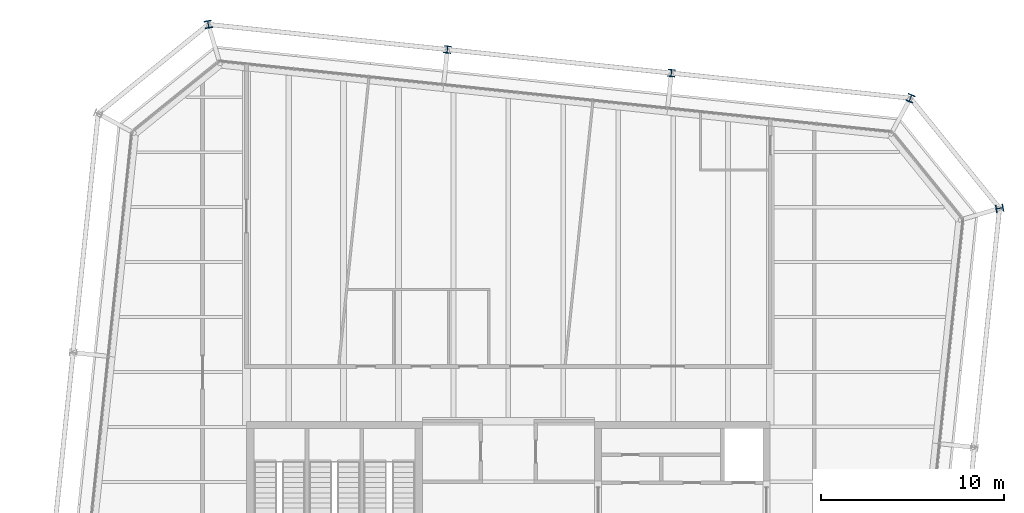
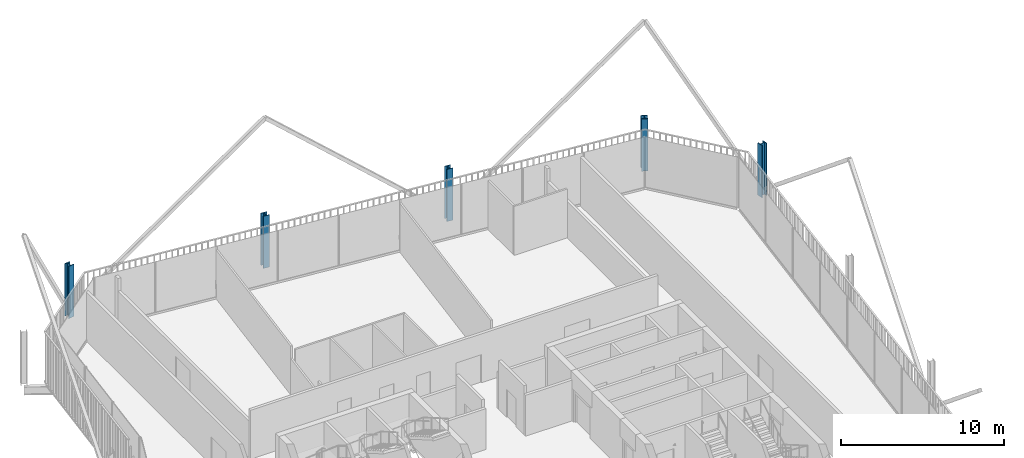
# One storey, part 2 of 21: 5 columns.
"""IFC4 building model written with IfcOpenShell, lengths in metres."""

from ifc_helpers import new_model, si_unit, direction, frame, origin, origin_2d, place, context, subcontext, project, spatial, i_section, extrude, material, material_profile, profile_set, type_object, element, save


model = new_model("IFC4")

# Units and contexts
model_context = context("Model", 3, precision=1e-05, world=origin(), true_north=direction((0.0, 1.0)))
body_context = subcontext(model_context, "Body", "Model", "MODEL_VIEW")
ifc_project = project(units=[si_unit("LENGTHUNIT", "METRE"), si_unit("AREAUNIT", "SQUARE_METRE"), si_unit("VOLUMEUNIT", "CUBIC_METRE"), si_unit("PLANEANGLEUNIT", "RADIAN"), si_unit("MASSUNIT", "GRAM", prefix="KILO")], contexts=[model_context])

# Site, building, storey
site_placement = place(None, origin())
site = spatial("IfcSite", under=ifc_project, at=site_placement, CompositionType="ELEMENT")
building_placement = place(site_placement, origin())
building = spatial("IfcBuilding", under=site, at=building_placement, Name="Millrace Tower", CompositionType="ELEMENT")
storey_placement = place(building_placement, frame((0.0, 0.0, 307.199951171875)))
storey = spatial("IfcBuildingStorey", under=building, at=storey_placement, Name="L71", CompositionType="ELEMENT", Elevation=307.199951171875)

# Columns
ifc_material_1 = material(Name="Steel ASTM A913 Grade 65", Category="steel")
ifc_material_profile_1 = material_profile(ifc_material_1, i_section(OverallWidth=0.4013671875, OverallDepth=0.398681640625, WebThickness=0.02490234375, FlangeThickness=0.03955078125, FilletRadius=0.01513671875, at=origin_2d()))
ifc_profile_set_1 = profile_set([ifc_material_profile_1], Name="Steel ASTM A913 Grade 65")
column_type_1 = type_object("IfcColumnType", Name="Exoskeleton column W14x211", PredefinedType="COLUMN", material=ifc_profile_set_1)
for number, where, z_axis, x_axis, name in (
    (1, (8.9033203125, 28.321533203125, 0.0), (0.0, 0.0, 1.0), (-0.994521897246, 0.104528445407, 0.0), "COL-E-L71-X11"),
    (2, (-3.329345703125, 29.607177734375, 0.0), (0.0, 0.0, 1.0), (-0.994521897246, 0.104528445407, 0.0), "COL-E-L71-X12"),
):
    element("IfcColumn", number, at=place(storey_placement, frame(where, z_axis=z_axis, x_axis=x_axis)), inside=storey, type_object=column_type_1, Name=name, PredefinedType="COLUMN", context=body_context, shape_type="SweptSolid", body=[
        extrude(i_section(OverallWidth=0.4013671875, OverallDepth=0.398681640625, WebThickness=0.02490234375, FlangeThickness=0.03955078125, FilletRadius=0.01513671875, at=origin_2d()), origin(), (0.0, 0.0, 1.0), 3.900146484375),
    ])
ifc_material_2 = material(Name="Steel ASTM A913 Grade 65", Category="steel")
ifc_material_profile_2 = material_profile(ifc_material_2, i_section(OverallWidth=0.406494140625, OverallDepth=0.41650390625, WebThickness=0.030029296875, FlangeThickness=0.048095703125, FilletRadius=0.01513671875, at=origin_2d()))
ifc_profile_set_2 = profile_set([ifc_material_profile_2], Name="Steel ASTM A913 Grade 65")
column_type_2 = type_object("IfcColumnType", Name="Exoskeleton column W14x257", PredefinedType="COLUMN", material=ifc_profile_set_2)
for number, where, z_axis, x_axis, name in (
    (3, (26.82958984375, 20.935791015625, 0.0), (0.0, 0.0, 1.0), (-0.18038747256, 0.983595628164, 0.0), "COL-E-L71-X09"),
    (4, (21.9599609375, 26.94921875, 0.0), (0.0, 0.0, 1.0), (-0.92459700658, 0.380946683176, 0.0), "COL-E-L71-X10"),
    (5, (-16.3857421875, 30.9794921875, 0.0), (0.0, 0.0, 1.0), (-0.983595628164, -0.18038747256, 0.0), "COL-E-L71-X13"),
):
    element("IfcColumn", number, at=place(storey_placement, frame(where, z_axis=z_axis, x_axis=x_axis)), inside=storey, type_object=column_type_2, Name=name, PredefinedType="COLUMN", context=body_context, shape_type="SweptSolid", body=[
        extrude(i_section(OverallWidth=0.406494140625, OverallDepth=0.41650390625, WebThickness=0.030029296875, FlangeThickness=0.048095703125, FilletRadius=0.01513671875, at=origin_2d()), origin(), (0.0, 0.0, 1.0), 3.900146484375),
    ])

save(model, "model.ifc")
